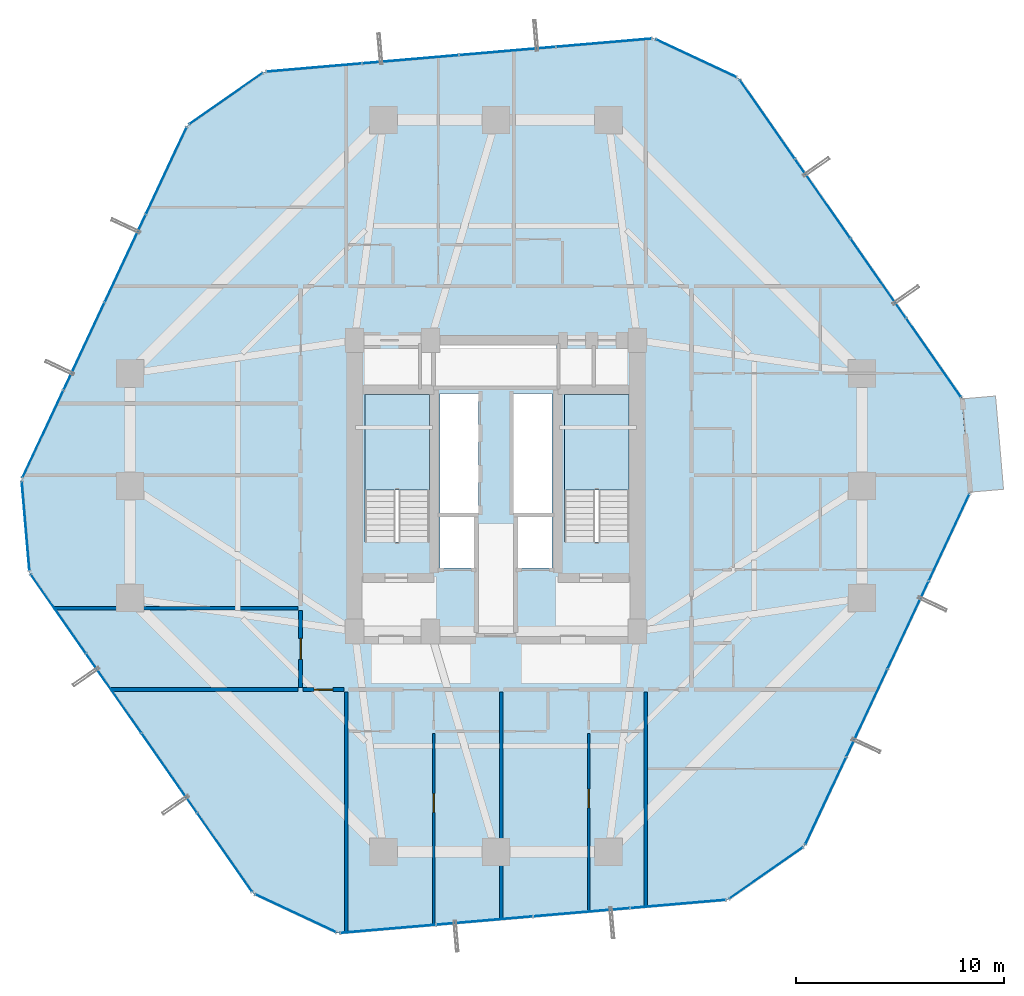
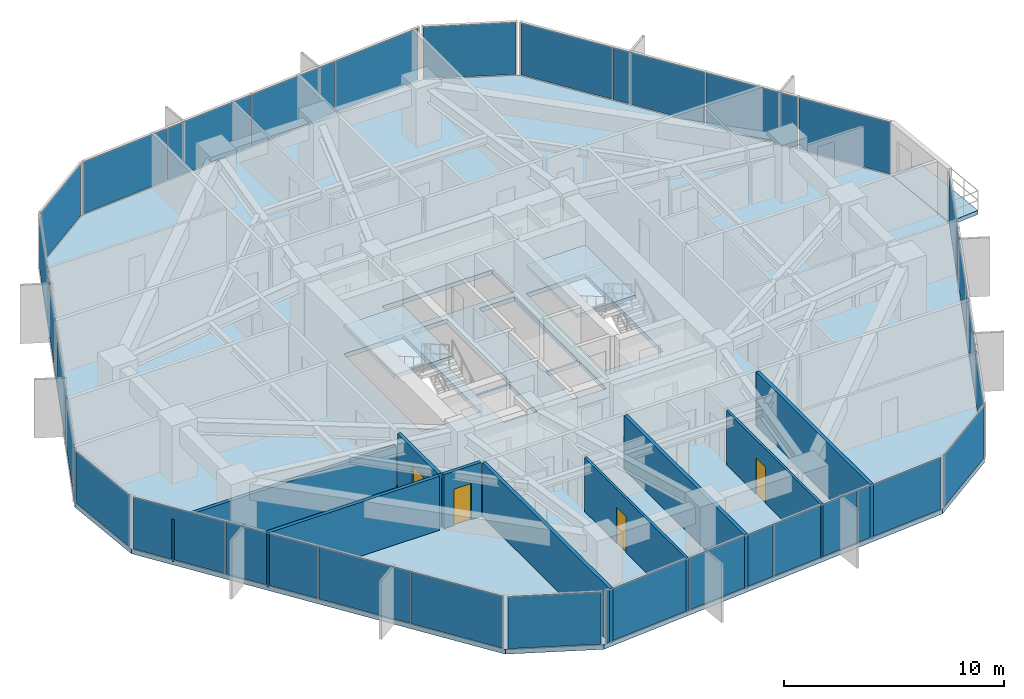
# One storey, part 32 of 37: 29 plates, 9 walls, 4 doors, 4 slabs, 4 openings, 13 elements without a shape of their own.
"""IFC4 building model written with IfcOpenShell, lengths in metres."""

from ifc_helpers import new_model, si_unit, direction, frame, frame_2d, origin, origin_2d, place, context, subcontext, project, spatial, polyline, rectangle, outline, extrude, source, transform, mapped, material, layer, layer_set, type_object, element, fill, aggregate, save


model = new_model("IFC4")

# Units and contexts
model_context = context("Model", 3, precision=1e-05, world=origin(), true_north=direction((0.0, 1.0)))
body_context = subcontext(model_context, "Body", "Model", "MODEL_VIEW")
ifc_project = project(units=[si_unit("LENGTHUNIT", "METRE"), si_unit("AREAUNIT", "SQUARE_METRE"), si_unit("VOLUMEUNIT", "CUBIC_METRE"), si_unit("PLANEANGLEUNIT", "RADIAN"), si_unit("MASSUNIT", "GRAM", prefix="KILO")], contexts=[model_context])

# Site, building, storey
site_placement = place(None, origin())
site = spatial("IfcSite", under=ifc_project, at=site_placement, CompositionType="ELEMENT")
building_placement = place(site_placement, origin())
building = spatial("IfcBuilding", under=site, at=building_placement, Name="Veraguas Prism Commons", CompositionType="ELEMENT")
storey_placement = place(building_placement, frame((0.0, 0.0, 40.300048828125)))
storey = spatial("IfcBuildingStorey", under=building, at=storey_placement, Name="L10", CompositionType="ELEMENT", Elevation=40.300048828125)

# Stair, slab
ifc_material_1 = material(Name="Precast concrete C45/55", Category="concrete")
stair_type = type_object("IfcStairType", Name="Dogleg Core Stair 1480W 20R 05", PredefinedType="HALF_TURN_STAIR", material=ifc_material_1)
stair_1_placement = place(storey_placement, origin())
stair_1 = element("IfcStair", 1, at=stair_1_placement, inside=storey, type_object=stair_type, Name="Protected Exit Stair ST-01 L10", PredefinedType="HALF_TURN_STAIR")
ifc_layer_1 = layer(ifc_material_1, 0.199951171875, Name="Precast Stair and Ramp Landing Slab 200", Category="concrete")
ifc_layer_set_1 = layer_set([ifc_layer_1], Name="Precast concrete C45/55")
slab_type_1 = type_object("IfcSlabType", Name="Precast Stair and Ramp Landing Slab 200", PredefinedType="LANDING", material=ifc_layer_set_1)
slab_1_placement = place(storey_placement, frame((0.0, 0.0, 1.425048828125)))
slab_1 = element("IfcSlab", 2, at=slab_1_placement, type_object=slab_type_1, Name="ST-05 Landing 1", PredefinedType="LANDING", context=body_context, shape_type="SweptSolid", body=[
    extrude(outline(polyline([(20.800048828125, 23.800048828125), (20.800048828125, 28.39990234375), (17.68994140625, 28.39990234375), (17.68994140625, 23.800048828125), (20.800048828125, 23.800048828125)])), origin(), (0.0, 0.0, 1.0), 0.199951171875),
])
aggregate(stair_1, [slab_1])

stair_2_placement = place(storey_placement, origin())
stair_2 = element("IfcStair", 3, at=stair_2_placement, inside=storey, type_object=stair_type, Name="Protected Exit Stair ST-02 L10", PredefinedType="HALF_TURN_STAIR")
slab_2_placement = place(storey_placement, frame((0.0, 0.0, 1.425048828125)))
slab_2 = element("IfcSlab", 4, at=slab_2_placement, type_object=slab_type_1, Name="ST-05 Landing 1", PredefinedType="LANDING", context=body_context, shape_type="SweptSolid", body=[
    extrude(outline(polyline([(30.39990234375, 23.800048828125), (30.39990234375, 28.39990234375), (27.2900390625, 28.39990234375), (27.2900390625, 23.800048828125), (30.39990234375, 23.800048828125)])), origin(), (0.0, 0.0, 1.0), 0.199951171875),
])
aggregate(stair_2, [slab_2])

# Slabs
ifc_material_2 = material(Name="Concrete C45/55", Category="concrete")
ifc_layer_2 = layer(ifc_material_2, 0.219970703125, Name="Recessed Loggia and Terrace Slab RC 220", Category="concrete")
ifc_layer_set_2 = layer_set([ifc_layer_2], Name="Concrete C45/55")
slab_type_2 = type_object("IfcSlabType", Name="Recessed Loggia and Terrace Slab RC 220", PredefinedType="FLOOR", material=ifc_layer_set_2)
slab_3_placement = place(storey_placement, frame((0.0, 0.0, -0.219970703125)))
element("IfcSlab", 5, at=slab_3_placement, inside=storey, type_object=slab_type_2, Name="Recessed Corner Loggia L10-C1", PredefinedType="FLOOR", context=body_context, shape_type="SweptSolid", body=[
    extrude(outline(polyline([(46.790283203125, 23.695556640625), (48.404296875, 23.833984375), (48.02001953125, 28.3173828125), (46.406005859375, 28.17919921875), (46.790283203125, 23.695556640625)])), origin(), (0.0, 0.0, 1.0), 0.219970703125),
])
ifc_layer_3 = layer(ifc_material_2, 0.25, Name="Tower Lower Residential Floor Slab RC 250", Category="concrete")
ifc_layer_set_3 = layer_set([ifc_layer_3], Name="Concrete C45/55")
slab_type_3 = type_object("IfcSlabType", Name="Tower Lower Residential Floor Slab RC 250", PredefinedType="FLOOR", material=ifc_layer_set_3)
slab_4_placement = place(storey_placement, frame((0.0, 0.0, -0.25)))
element("IfcSlab", 6, at=slab_4_placement, inside=storey, type_object=slab_type_3, Name="Tower Floor Slab L10", PredefinedType="FLOOR", context=body_context, shape_type="SweptSolid", body=[
    extrude(outline(polyline([(46.810302734375, 23.697265625), (46.42578125, 28.180908203125), (35.667236328125, 43.602783203125), (31.59228515625, 45.51171875), (12.857177734375, 43.905517578125), (9.16650390625, 41.330810546875), (1.189697265625, 24.302734375), (1.57421875, 19.819091796875), (12.332763671875, 4.397216796875), (16.40771484375, 2.48828125), (35.142822265625, 4.094482421875), (38.83349609375, 6.669189453125), (46.810302734375, 23.697265625)]), holes=[polyline([(20.800048828125, 21.31005859375), (20.800048828125, 28.39990234375), (17.68994140625, 28.39990234375), (17.68994140625, 21.31005859375), (20.800048828125, 21.31005859375)]), polyline([(30.39990234375, 21.31005859375), (30.39990234375, 28.39990234375), (27.2900390625, 28.39990234375), (27.2900390625, 21.31005859375), (30.39990234375, 21.31005859375)]), polyline([(21.300048828125, 22.64990234375), (23.14990234375, 22.64990234375), (23.14990234375, 28.449951171875), (21.300048828125, 28.449951171875), (21.300048828125, 22.64990234375)]), polyline([(24.85009765625, 22.64990234375), (26.699951171875, 22.64990234375), (26.699951171875, 28.449951171875), (24.85009765625, 28.449951171875), (24.85009765625, 22.64990234375)]), polyline([(21.10009765625, 28.800048828125), (26.89990234375, 28.800048828125), (26.89990234375, 30.800048828125), (21.10009765625, 30.800048828125), (21.10009765625, 28.800048828125)]), polyline([(21.300048828125, 20.050048828125), (23.050048828125, 20.050048828125), (23.050048828125, 22.550048828125), (21.300048828125, 22.550048828125), (21.300048828125, 20.050048828125)]), polyline([(24.949951171875, 20.050048828125), (26.699951171875, 20.050048828125), (26.699951171875, 22.550048828125), (24.949951171875, 22.550048828125), (24.949951171875, 20.050048828125)])]), origin(), (0.0, 0.0, 1.0), 0.25),
])

# Curtain wall, plates
ifc_material_3 = material(Name="Anodised aluminium EN AW-6063 T6", Category="aluminium")
ifc_layer_4 = layer(ifc_material_3, 0.169921875, Name="Unitised Flush Curtain Wall Zone 1", Category="aluminium")
ifc_layer_set_4 = layer_set([ifc_layer_4], Name="Anodised aluminium EN AW-6063 T6")
curtain_wall_type = type_object("IfcCurtainWallType", Name="Unitised Flush Curtain Wall Zone 1", PredefinedType="NOTDEFINED", material=ifc_layer_set_4)
curtain_wall_1_placement = place(storey_placement, origin())
curtain_wall_1 = element("IfcCurtainWall", 7, at=curtain_wall_1_placement, inside=storey, type_object=curtain_wall_type, Name="Tower Facade Curtain Wall L10-F1", PredefinedType="NOTDEFINED")
ifc_material_4 = material(Name="Laminated low-e glass", Category="glass")
ifc_layer_5 = layer(ifc_material_4, 0.028076171875, Name="Unitised Double Low-E Glazed Panel 28", Category="glass")
ifc_layer_set_5 = layer_set([ifc_layer_5], Name="Laminated low-e glass")
plate_type = type_object("IfcPlateType", Name="Unitised Double Low-E Glazed Panel 28", PredefinedType="CURTAIN_PANEL", material=ifc_layer_set_5)
shared_shape_1 = source(origin(), body_context, "Body", "SweptSolid", [
    extrude(rectangle(XDim=4.5810546875, YDim=0.028076171875, at=origin_2d()), origin(), (0.0, 0.0, 1.0), 2.889892578125),
])
plate_1_placement = place(storey_placement, frame((45.046630859375, 30.15771484375, 0.05517578125), z_axis=(0.0, 0.0, 1.0), x_axis=(-0.572145873446, 0.820151875874, 0.0)))
plate_1 = element("IfcPlate", 8, at=plate_1_placement, type_object=plate_type, Name="CW-Z1 Panel 1.1", PredefinedType="CURTAIN_PANEL", context=body_context, shape_type="MappedRepresentation", body=[
    mapped(shared_shape_1, transform((0.0, 0.0, 0.0), scale=1.0)),
])
plate_2_placement = place(storey_placement, frame((37.04638671875, 41.625732421875, 0.05517578125), z_axis=(0.0, 0.0, 1.0), x_axis=(-0.572145873446, 0.820151875874, 0.0)))
plate_2 = element("IfcPlate", 9, at=plate_2_placement, type_object=plate_type, Name="CW-Z1 Panel 4.1", PredefinedType="CURTAIN_PANEL", context=body_context, shape_type="MappedRepresentation", body=[
    mapped(shared_shape_1, transform((0.0, 0.0, 0.0), scale=1.0)),
])

curtain_wall_2_placement = place(storey_placement, origin())
curtain_wall_2 = element("IfcCurtainWall", 10, at=curtain_wall_2_placement, inside=storey, type_object=curtain_wall_type, Name="Tower Facade Curtain Wall L10-F2", PredefinedType="NOTDEFINED")
plate_3_placement = place(storey_placement, frame((29.1904296875, 45.305908203125, 0.05517578125), z_axis=(0.0, 0.0, 1.0), x_axis=(-0.996345296191, -0.085416923137, 0.0)))
plate_3 = element("IfcPlate", 11, at=plate_3_placement, type_object=plate_type, Name="CW-Z1 Panel 1.1", PredefinedType="CURTAIN_PANEL", context=body_context, shape_type="MappedRepresentation", body=[
    mapped(shared_shape_1, transform((0.0, 0.0, 0.0), scale=1.0)),
])
plate_4_placement = place(storey_placement, frame((15.2587890625, 44.111572265625, 0.05517578125), z_axis=(0.0, 0.0, 1.0), x_axis=(-0.996345296191, -0.085416923137, 0.0)))
plate_4 = element("IfcPlate", 12, at=plate_4_placement, type_object=plate_type, Name="CW-Z1 Panel 4.1", PredefinedType="CURTAIN_PANEL", context=body_context, shape_type="MappedRepresentation", body=[
    mapped(shared_shape_1, transform((0.0, 0.0, 0.0), scale=1.0)),
])

curtain_wall_3_placement = place(storey_placement, origin())
curtain_wall_3 = element("IfcCurtainWall", 13, at=curtain_wall_3_placement, inside=storey, type_object=curtain_wall_type, Name="Tower Facade Curtain Wall L10-F3", PredefinedType="NOTDEFINED")
plate_5_placement = place(storey_placement, frame((8.143798828125, 39.14794921875, 0.05517578125), z_axis=(0.0, 0.0, 1.0), x_axis=(-0.424194681192, -0.905571020102, 0.0)))
plate_5 = element("IfcPlate", 14, at=plate_5_placement, type_object=plate_type, Name="CW-Z1 Panel 1.1", PredefinedType="CURTAIN_PANEL", context=body_context, shape_type="MappedRepresentation", body=[
    mapped(shared_shape_1, transform((0.0, 0.0, 0.0), scale=1.0)),
])
plate_6_placement = place(storey_placement, frame((2.21240234375, 26.485595703125, 0.05517578125), z_axis=(0.0, 0.0, 1.0), x_axis=(-0.424194681192, -0.905571020102, 0.0)))
plate_6 = element("IfcPlate", 15, at=plate_6_placement, type_object=plate_type, Name="CW-Z1 Panel 4.1", PredefinedType="CURTAIN_PANEL", context=body_context, shape_type="MappedRepresentation", body=[
    mapped(shared_shape_1, transform((0.0, 0.0, 0.0), scale=1.0)),
])

curtain_wall_4_placement = place(storey_placement, origin())
curtain_wall_4 = element("IfcCurtainWall", 16, at=curtain_wall_4_placement, inside=storey, type_object=curtain_wall_type, Name="Tower Facade Curtain Wall L10-F4", PredefinedType="NOTDEFINED")
plate_7_placement = place(storey_placement, frame((2.953369140625, 17.84228515625, 0.05517578125), z_axis=(0.0, 0.0, 1.0), x_axis=(0.572145873446, -0.820151875874, 0.0)))
plate_7 = element("IfcPlate", 17, at=plate_7_placement, type_object=plate_type, Name="CW-Z1 Panel 1.1", PredefinedType="CURTAIN_PANEL", context=body_context, shape_type="MappedRepresentation", body=[
    mapped(shared_shape_1, transform((0.0, 0.0, 0.0), scale=1.0)),
])
plate_8_placement = place(storey_placement, frame((10.95361328125, 6.374267578125, 0.05517578125), z_axis=(0.0, 0.0, 1.0), x_axis=(0.572145873446, -0.820151875874, 0.0)))
plate_8 = element("IfcPlate", 18, at=plate_8_placement, type_object=plate_type, Name="CW-Z1 Panel 4.1", PredefinedType="CURTAIN_PANEL", context=body_context, shape_type="MappedRepresentation", body=[
    mapped(shared_shape_1, transform((0.0, 0.0, 0.0), scale=1.0)),
])

curtain_wall_5_placement = place(storey_placement, origin())
curtain_wall_5 = element("IfcCurtainWall", 19, at=curtain_wall_5_placement, inside=storey, type_object=curtain_wall_type, Name="Tower Facade Curtain Wall L10-F5", PredefinedType="NOTDEFINED")
plate_9_placement = place(storey_placement, frame((18.8095703125, 2.694091796875, 0.05517578125), z_axis=(0.0, 0.0, 1.0), x_axis=(0.996345296191, 0.085416923137, 0.0)))
plate_9 = element("IfcPlate", 20, at=plate_9_placement, type_object=plate_type, Name="CW-Z1 Panel 1.1", PredefinedType="CURTAIN_PANEL", context=body_context, shape_type="MappedRepresentation", body=[
    mapped(shared_shape_1, transform((0.0, 0.0, 0.0), scale=1.0)),
])
plate_10_placement = place(storey_placement, frame((32.7412109375, 3.888427734375, 0.05517578125), z_axis=(0.0, 0.0, 1.0), x_axis=(0.996345296191, 0.085416923137, 0.0)))
plate_10 = element("IfcPlate", 21, at=plate_10_placement, type_object=plate_type, Name="CW-Z1 Panel 4.1", PredefinedType="CURTAIN_PANEL", context=body_context, shape_type="MappedRepresentation", body=[
    mapped(shared_shape_1, transform((0.0, 0.0, 0.0), scale=1.0)),
])

curtain_wall_6_placement = place(storey_placement, origin())
curtain_wall_6 = element("IfcCurtainWall", 22, at=curtain_wall_6_placement, inside=storey, type_object=curtain_wall_type, Name="Tower Facade Curtain Wall L10-F6", PredefinedType="NOTDEFINED")
plate_11_placement = place(storey_placement, frame((39.856201171875, 8.85205078125, 0.05517578125), z_axis=(0.0, 0.0, 1.0), x_axis=(0.424194681192, 0.905571020102, 0.0)))
plate_11 = element("IfcPlate", 23, at=plate_11_placement, type_object=plate_type, Name="CW-Z1 Panel 1.1", PredefinedType="CURTAIN_PANEL", context=body_context, shape_type="MappedRepresentation", body=[
    mapped(shared_shape_1, transform((0.0, 0.0, 0.0), scale=1.0)),
])
plate_12_placement = place(storey_placement, frame((45.78759765625, 21.514404296875, 0.05517578125), z_axis=(0.0, 0.0, 1.0), x_axis=(0.424194681192, 0.905571020102, 0.0)))
plate_12 = element("IfcPlate", 24, at=plate_12_placement, type_object=plate_type, Name="CW-Z1 Panel 4.1", PredefinedType="CURTAIN_PANEL", context=body_context, shape_type="MappedRepresentation", body=[
    mapped(shared_shape_1, transform((0.0, 0.0, 0.0), scale=1.0)),
])

# Plate
shared_shape_2 = source(origin(), body_context, "Body", "SweptSolid", [
    extrude(rectangle(XDim=4.611083984375, YDim=0.028076171875, at=origin_2d()), origin(), (0.0, 0.0, 1.0), 2.889892578125),
])
plate_13_placement = place(storey_placement, frame((42.3828125, 33.976318359375, 0.05517578125), z_axis=(0.0, 0.0, 1.0), x_axis=(-0.572145873446, 0.820151875874, 0.0)))
plate_13 = element("IfcPlate", 25, at=plate_13_placement, type_object=plate_type, Name="CW-Z1 Panel 2.1", PredefinedType="CURTAIN_PANEL", context=body_context, shape_type="MappedRepresentation", body=[
    mapped(shared_shape_2, transform((0.0, 0.0, 0.0), scale=1.0)),
])

plate_14_placement = place(storey_placement, frame((39.710205078125, 37.80712890625, 0.05517578125), z_axis=(0.0, 0.0, 1.0), x_axis=(-0.572145873446, 0.820151875874, 0.0)))
plate_14 = element("IfcPlate", 26, at=plate_14_placement, type_object=plate_type, Name="CW-Z1 Panel 3.1", PredefinedType="CURTAIN_PANEL", context=body_context, shape_type="MappedRepresentation", body=[
    mapped(shared_shape_2, transform((0.0, 0.0, 0.0), scale=1.0)),
])

aggregate(curtain_wall_1, [plate_1, plate_13, plate_14, plate_2])

plate_15_placement = place(storey_placement, frame((6.168701171875, 34.931640625, 0.05517578125), z_axis=(0.0, 0.0, 1.0), x_axis=(-0.424194681192, -0.905571020102, 0.0)))
plate_15 = element("IfcPlate", 27, at=plate_15_placement, type_object=plate_type, Name="CW-Z1 Panel 2.1", PredefinedType="CURTAIN_PANEL", context=body_context, shape_type="MappedRepresentation", body=[
    mapped(shared_shape_2, transform((0.0, 0.0, 0.0), scale=1.0)),
])

plate_16_placement = place(storey_placement, frame((4.1875, 30.701904296875, 0.05517578125), z_axis=(0.0, 0.0, 1.0), x_axis=(-0.424194681192, -0.905571020102, 0.0)))
plate_16 = element("IfcPlate", 28, at=plate_16_placement, type_object=plate_type, Name="CW-Z1 Panel 3.1", PredefinedType="CURTAIN_PANEL", context=body_context, shape_type="MappedRepresentation", body=[
    mapped(shared_shape_2, transform((0.0, 0.0, 0.0), scale=1.0)),
])

aggregate(curtain_wall_3, [plate_5, plate_15, plate_16, plate_6])

plate_17_placement = place(storey_placement, frame((5.6171875, 14.023681640625, 0.05517578125), z_axis=(0.0, 0.0, 1.0), x_axis=(0.572145873446, -0.820151875874, 0.0)))
plate_17 = element("IfcPlate", 29, at=plate_17_placement, type_object=plate_type, Name="CW-Z1 Panel 2.1", PredefinedType="CURTAIN_PANEL", context=body_context, shape_type="MappedRepresentation", body=[
    mapped(shared_shape_2, transform((0.0, 0.0, 0.0), scale=1.0)),
])

plate_18_placement = place(storey_placement, frame((8.289794921875, 10.19287109375, 0.05517578125), z_axis=(0.0, 0.0, 1.0), x_axis=(0.572145873446, -0.820151875874, 0.0)))
plate_18 = element("IfcPlate", 30, at=plate_18_placement, type_object=plate_type, Name="CW-Z1 Panel 3.1", PredefinedType="CURTAIN_PANEL", context=body_context, shape_type="MappedRepresentation", body=[
    mapped(shared_shape_2, transform((0.0, 0.0, 0.0), scale=1.0)),
])

aggregate(curtain_wall_4, [plate_7, plate_17, plate_18, plate_8])

plate_19_placement = place(storey_placement, frame((41.831298828125, 13.068359375, 0.05517578125), z_axis=(0.0, 0.0, 1.0), x_axis=(0.424194681192, 0.905571020102, 0.0)))
plate_19 = element("IfcPlate", 31, at=plate_19_placement, type_object=plate_type, Name="CW-Z1 Panel 2.1", PredefinedType="CURTAIN_PANEL", context=body_context, shape_type="MappedRepresentation", body=[
    mapped(shared_shape_2, transform((0.0, 0.0, 0.0), scale=1.0)),
])

plate_20_placement = place(storey_placement, frame((43.8125, 17.298095703125, 0.05517578125), z_axis=(0.0, 0.0, 1.0), x_axis=(0.424194681192, 0.905571020102, 0.0)))
plate_20 = element("IfcPlate", 32, at=plate_20_placement, type_object=plate_type, Name="CW-Z1 Panel 3.1", PredefinedType="CURTAIN_PANEL", context=body_context, shape_type="MappedRepresentation", body=[
    mapped(shared_shape_2, transform((0.0, 0.0, 0.0), scale=1.0)),
])

aggregate(curtain_wall_6, [plate_11, plate_19, plate_20, plate_12])

shared_shape_3 = source(origin(), body_context, "Body", "SweptSolid", [
    extrude(rectangle(XDim=4.61083984375, YDim=0.028076171875, at=origin_2d()), origin(), (0.0, 0.0, 1.0), 2.889892578125),
])
plate_21_placement = place(storey_placement, frame((24.551513671875, 44.908203125, 0.05517578125), z_axis=(0.0, 0.0, 1.0), x_axis=(-0.996345296191, -0.085416923137, 0.0)))
plate_21 = element("IfcPlate", 33, at=plate_21_placement, type_object=plate_type, Name="CW-Z1 Panel 2.1", PredefinedType="CURTAIN_PANEL", context=body_context, shape_type="MappedRepresentation", body=[
    mapped(shared_shape_3, transform((0.0, 0.0, 0.0), scale=1.0)),
])

plate_22_placement = place(storey_placement, frame((19.897705078125, 44.50927734375, 0.05517578125), z_axis=(0.0, 0.0, 1.0), x_axis=(-0.996345296191, -0.085416923137, 0.0)))
plate_22 = element("IfcPlate", 34, at=plate_22_placement, type_object=plate_type, Name="CW-Z1 Panel 3.1", PredefinedType="CURTAIN_PANEL", context=body_context, shape_type="MappedRepresentation", body=[
    mapped(shared_shape_3, transform((0.0, 0.0, 0.0), scale=1.0)),
])

aggregate(curtain_wall_2, [plate_3, plate_21, plate_22, plate_4])

plate_23_placement = place(storey_placement, frame((23.448486328125, 3.091796875, 0.05517578125), z_axis=(0.0, 0.0, 1.0), x_axis=(0.996345296191, 0.085416923137, 0.0)))
plate_23 = element("IfcPlate", 35, at=plate_23_placement, type_object=plate_type, Name="CW-Z1 Panel 2.1", PredefinedType="CURTAIN_PANEL", context=body_context, shape_type="MappedRepresentation", body=[
    mapped(shared_shape_3, transform((0.0, 0.0, 0.0), scale=1.0)),
])

plate_24_placement = place(storey_placement, frame((28.102294921875, 3.49072265625, 0.05517578125), z_axis=(0.0, 0.0, 1.0), x_axis=(0.996345296191, 0.085416923137, 0.0)))
plate_24 = element("IfcPlate", 36, at=plate_24_placement, type_object=plate_type, Name="CW-Z1 Panel 3.1", PredefinedType="CURTAIN_PANEL", context=body_context, shape_type="MappedRepresentation", body=[
    mapped(shared_shape_3, transform((0.0, 0.0, 0.0), scale=1.0)),
])

aggregate(curtain_wall_5, [plate_9, plate_23, plate_24, plate_10])

# Curtain wall, plate
curtain_wall_7_placement = place(storey_placement, origin())
curtain_wall_7 = element("IfcCurtainWall", 37, at=curtain_wall_7_placement, inside=storey, type_object=curtain_wall_type, Name="Chamfer Curtain Wall L10-C2", PredefinedType="NOTDEFINED")
shared_shape_4 = source(origin(), body_context, "Body", "SweptSolid", [
    extrude(rectangle(XDim=4.260009765625, YDim=0.028076171875, at=origin_2d()), origin(), (0.0, 0.0, 1.0), 2.889892578125),
])
plate_25_placement = place(storey_placement, frame((33.629638671875, 44.55712890625, 0.05517578125), z_axis=(0.0, 0.0, 1.0), x_axis=(-0.905581384863, 0.424172553792, 0.0)))
plate_25 = element("IfcPlate", 38, at=plate_25_placement, type_object=plate_type, Name="CW-Z1 Panel 1.1", PredefinedType="CURTAIN_PANEL", context=body_context, shape_type="MappedRepresentation", body=[
    mapped(shared_shape_4, transform((0.0, 0.0, 0.0), scale=1.0)),
])
aggregate(curtain_wall_7, [plate_25])

curtain_wall_8_placement = place(storey_placement, origin())
curtain_wall_8 = element("IfcCurtainWall", 39, at=curtain_wall_8_placement, inside=storey, type_object=curtain_wall_type, Name="Chamfer Curtain Wall L10-C3", PredefinedType="NOTDEFINED")
plate_26_placement = place(storey_placement, frame((11.01171875, 42.6181640625, 0.05517578125), z_axis=(0.0, 0.0, 1.0), x_axis=(-0.82014388713, -0.57215732487, 0.0)))
plate_26 = element("IfcPlate", 40, at=plate_26_placement, type_object=plate_type, Name="CW-Z1 Panel 1.1", PredefinedType="CURTAIN_PANEL", context=body_context, shape_type="MappedRepresentation", body=[
    mapped(shared_shape_4, transform((0.0, 0.0, 0.0), scale=1.0)),
])
aggregate(curtain_wall_8, [plate_26])

curtain_wall_9_placement = place(storey_placement, origin())
curtain_wall_9 = element("IfcCurtainWall", 41, at=curtain_wall_9_placement, inside=storey, type_object=curtain_wall_type, Name="Chamfer Curtain Wall L10-C4", PredefinedType="NOTDEFINED")
plate_27_placement = place(storey_placement, frame((1.382080078125, 22.06103515625, 0.05517578125), z_axis=(0.0, 0.0, 1.0), x_axis=(0.085436051578, -0.99634365612, 0.0)))
plate_27 = element("IfcPlate", 42, at=plate_27_placement, type_object=plate_type, Name="CW-Z1 Panel 1.1", PredefinedType="CURTAIN_PANEL", context=body_context, shape_type="MappedRepresentation", body=[
    mapped(shared_shape_4, transform((0.0, 0.0, 0.0), scale=1.0)),
])
aggregate(curtain_wall_9, [plate_27])

curtain_wall_10_placement = place(storey_placement, origin())
curtain_wall_10 = element("IfcCurtainWall", 43, at=curtain_wall_10_placement, inside=storey, type_object=curtain_wall_type, Name="Chamfer Curtain Wall L10-C5", PredefinedType="NOTDEFINED")
plate_28_placement = place(storey_placement, frame((14.370361328125, 3.44287109375, 0.05517578125), z_axis=(0.0, 0.0, 1.0), x_axis=(0.905581384863, -0.424172553792, 0.0)))
plate_28 = element("IfcPlate", 44, at=plate_28_placement, type_object=plate_type, Name="CW-Z1 Panel 1.1", PredefinedType="CURTAIN_PANEL", context=body_context, shape_type="MappedRepresentation", body=[
    mapped(shared_shape_4, transform((0.0, 0.0, 0.0), scale=1.0)),
])
aggregate(curtain_wall_10, [plate_28])

curtain_wall_11_placement = place(storey_placement, origin())
curtain_wall_11 = element("IfcCurtainWall", 45, at=curtain_wall_11_placement, inside=storey, type_object=curtain_wall_type, Name="Chamfer Curtain Wall L10-C6", PredefinedType="NOTDEFINED")
plate_29_placement = place(storey_placement, frame((36.98828125, 5.3818359375, 0.05517578125), z_axis=(0.0, 0.0, 1.0), x_axis=(0.82014388713, 0.57215732487, 0.0)))
plate_29 = element("IfcPlate", 46, at=plate_29_placement, type_object=plate_type, Name="CW-Z1 Panel 1.1", PredefinedType="CURTAIN_PANEL", context=body_context, shape_type="MappedRepresentation", body=[
    mapped(shared_shape_4, transform((0.0, 0.0, 0.0), scale=1.0)),
])
aggregate(curtain_wall_11, [plate_29])

# Walls
ifc_material_5 = material(Name="Autoclaved aerated masonry block 10 MPa", Category="masonry")
ifc_layer_6 = layer(ifc_material_5, 0.179931640625, Name="Corridor and Inter-Tenancy Partition 180", Category="masonry")
ifc_layer_set_6 = layer_set([ifc_layer_6], Name="Autoclaved aerated masonry block 10 MPa")
wall_type_1 = type_object("IfcWallType", Name="Corridor and Inter-Tenancy Partition 180", PredefinedType="PARTITIONING", material=ifc_layer_set_6)
wall_1_placement = place(storey_placement, frame((16.800048828125, 14.080078125, 0.0), z_axis=(0.0, 0.0, 1.0), x_axis=(0.0, -1.0, 0.0)))
element("IfcWall", 47, at=wall_1_placement, inside=storey, type_object=wall_type_1, Name="WL-L10-PT001", PredefinedType="PARTITIONING", context=body_context, shape_type="SweptSolid", body=[
    extrude(rectangle(XDim=11.58837890625, YDim=0.179931640625, at=frame_2d((5.794189453125, 0.0))), origin(), (0.0, 0.0, 1.0), 3.0),
])
wall_2_placement = place(storey_placement, frame((31.199951171875, 14.080078125, 0.0), z_axis=(0.0, 0.0, 1.0), x_axis=(0.0, -1.0, 0.0)))
element("IfcWall", 48, at=wall_2_placement, inside=storey, type_object=wall_type_1, Name="WL-L10-PT002", PredefinedType="PARTITIONING", context=body_context, shape_type="SweptSolid", body=[
    extrude(rectangle(XDim=10.353759765625, YDim=0.179931640625, at=frame_2d((5.1767578125, 0.0))), origin(), (0.0, 0.0, 1.0), 3.0),
])
wall_3_placement = place(storey_placement, frame((24.258056640625, 14.080078125, 0.0), z_axis=(0.0, 0.0, 1.0), x_axis=(0.0, -1.0, 0.0)))
element("IfcWall", 49, at=wall_3_placement, inside=storey, type_object=wall_type_1, Name="WL-L10-PT009", PredefinedType="PARTITIONING", context=body_context, shape_type="SweptSolid", body=[
    extrude(rectangle(XDim=10.948974609375, YDim=0.179931640625, at=frame_2d((5.474609375, 0.0))), origin(), (0.0, 0.0, 1.0), 3.0),
])
wall_4_placement = place(storey_placement, frame((14.47998046875, 14.199951171875, 0.0), z_axis=(0.0, 0.0, 1.0), x_axis=(-1.0, 0.0, 0.0)))
element("IfcWall", 50, at=wall_4_placement, inside=storey, type_object=wall_type_1, Name="WL-L10-PT028", PredefinedType="PARTITIONING", context=body_context, shape_type="SweptSolid", body=[
    extrude(rectangle(XDim=9.0224609375, YDim=0.179931640625, at=frame_2d((4.51123046875, 0.0))), origin(), (0.0, 0.0, 1.0), 3.0),
])

# Wall, opening, door
wall_5_placement = place(storey_placement, frame((14.60009765625, 14.31005859375, 0.0), z_axis=(0.0, 0.0, 1.0), x_axis=(0.0, 1.0, 0.0)))
wall_5 = element("IfcWall", 51, at=wall_5_placement, inside=storey, type_object=wall_type_1, Name="WL-L10-PT030", PredefinedType="PARTITIONING", context=body_context, shape_type="SweptSolid", body=[
    extrude(rectangle(XDim=3.697021484375, YDim=0.179931640625, at=frame_2d((1.8486328125, 0.0))), origin(), (0.0, 0.0, 1.0), 3.0),
])
opening_1_placement = place(wall_5_placement, frame((1.348388671875, 0.0, 0.0)))
opening_1 = element("IfcOpeningElement", 52, at=opening_1_placement, cuts=wall_5, Name="Opening DR-13", PredefinedType="OPENING", context=body_context, shape_type="SweptSolid", body=[
    extrude(rectangle(XDim=1.0, YDim=2.010009765625, at=frame_2d((0.5, 1.0048828125))), frame((0.0, 0.099853515625, 0.0), z_axis=(0.0, -1.0, 0.0), x_axis=(1.0, 0.0, 0.0)), (0.0, 0.0, 1.0), 0.199951171875),
])
ifc_material_6 = material(Name="Steel fire-rated door assembly", Category="steel")
door_type_1 = type_object("IfcDoorType", Name="Core Accessible WC and Clinic Fire Door 1000x2010", OperationType="NOTDEFINED", PredefinedType="DOOR", material=ifc_material_6)
shared_shape_5 = source(origin(), body_context, "Body", "SweptSolid", [
    extrude(rectangle(XDim=1.0, YDim=2.010009765625, at=frame_2d((0.5, 1.0048828125))), frame((0.0, 0.02490234375, 0.0), z_axis=(0.0, -1.0, 0.0), x_axis=(1.0, 0.0, 0.0)), (0.0, 0.0, 1.0), 0.050048828125),
])
door_1_placement = place(opening_1_placement, origin())
door_1 = element("IfcDoor", 53, at=door_1_placement, inside=storey, type_object=door_type_1, Name="Community Co-op Kitchen Door", OperationType="SINGLE_SWING_LEFT", OverallHeight=2.010009765625, OverallWidth=1.0, PredefinedType="DOOR", context=body_context, shape_type="MappedRepresentation", body=[
    mapped(shared_shape_5, transform((0.0, 0.0, 0.0), scale=1.0)),
])
fill(opening_1, door_1)

# Wall
wall_6_placement = place(storey_placement, frame((14.47998046875, 18.116943359375, 0.0), z_axis=(0.0, 0.0, 1.0), x_axis=(-1.0, 0.0, 0.0)))
element("IfcWall", 54, at=wall_6_placement, inside=storey, type_object=wall_type_1, Name="WL-L10-PT032", PredefinedType="PARTITIONING", context=body_context, shape_type="SweptSolid", body=[
    extrude(rectangle(XDim=11.7548828125, YDim=0.179931640625, at=frame_2d((5.87744140625, 0.0))), origin(), (0.0, 0.0, 1.0), 2.299072265625),
])

# Wall, opening, door
wall_7_placement = place(storey_placement, frame((14.719970703125, 14.199951171875, 0.0), z_axis=(0.0, 0.0, 1.0), x_axis=(1.0, 0.0, 0.0)))
wall_7 = element("IfcWall", 55, at=wall_7_placement, inside=storey, type_object=wall_type_1, Name="WL-L10-PT056", PredefinedType="PARTITIONING", context=body_context, shape_type="SweptSolid", body=[
    extrude(rectangle(XDim=1.9599609375, YDim=0.179931640625, at=frame_2d((0.97998046875, 0.0))), origin(), (0.0, 0.0, 1.0), 3.0),
])
opening_2_placement = place(wall_7_placement, frame((0.530029296875, 0.0, 0.0)))
opening_2 = element("IfcOpeningElement", 56, at=opening_2_placement, cuts=wall_7, Name="Opening DR-14", PredefinedType="OPENING", context=body_context, shape_type="SweptSolid", body=[
    extrude(rectangle(XDim=0.89990234375, YDim=2.010009765625, at=frame_2d((0.449951171875, 1.0048828125))), frame((0.0, 0.099853515625, 0.0), z_axis=(0.0, -1.0, 0.0), x_axis=(1.0, 0.0, 0.0)), (0.0, 0.0, 1.0), 0.199951171875),
])
door_type_2 = type_object("IfcDoorType", Name="Core Service Room Fire Door 900x2010", OperationType="NOTDEFINED", PredefinedType="DOOR", material=ifc_material_6)
shared_shape_6 = source(origin(), body_context, "Body", "SweptSolid", [
    extrude(rectangle(XDim=0.89990234375, YDim=2.010009765625, at=frame_2d((0.449951171875, 1.0048828125))), frame((0.0, 0.02490234375, 0.0), z_axis=(0.0, -1.0, 0.0), x_axis=(1.0, 0.0, 0.0)), (0.0, 0.0, 1.0), 0.050048828125),
])
door_2_placement = place(opening_2_placement, origin())
door_2 = element("IfcDoor", 57, at=door_2_placement, inside=storey, type_object=door_type_2, Name="Residents Corner Study Room SW Door", OperationType="SINGLE_SWING_LEFT", OverallHeight=2.010009765625, OverallWidth=0.89990234375, PredefinedType="DOOR", context=body_context, shape_type="MappedRepresentation", body=[
    mapped(shared_shape_6, transform((0.0, 0.0, 0.0), scale=1.0)),
])
fill(opening_2, door_2)

ifc_material_7 = material(Name="Lightweight acoustic gypsum board")
ifc_layer_7 = layer(ifc_material_7, 0.125, Name="Internal Apartment Room Partition 125")
ifc_layer_set_7 = layer_set([ifc_layer_7], Name="Lightweight acoustic gypsum board")
wall_type_2 = type_object("IfcWallType", Name="Internal Apartment Room Partition 125", PredefinedType="PARTITIONING", material=ifc_layer_set_7)
wall_8_placement = place(storey_placement, frame((21.0, 12.10009765625, 0.0), z_axis=(0.0, 0.0, 1.0), x_axis=(0.0, -1.0, 0.0)))
wall_8 = element("IfcWall", 58, at=wall_8_placement, inside=storey, type_object=wall_type_2, Name="WL-L10-PT008", PredefinedType="PARTITIONING", context=body_context, shape_type="SweptSolid", body=[
    extrude(rectangle(XDim=9.248291015625, YDim=0.125, at=frame_2d((4.6240234375, 0.0))), origin(), (0.0, 0.0, 1.0), 3.0),
])
opening_3_placement = place(wall_8_placement, frame((2.90234375, 0.0, 0.0)))
opening_3 = element("IfcOpeningElement", 59, at=opening_3_placement, cuts=wall_8, Name="Opening DR-02", PredefinedType="OPENING", context=body_context, shape_type="SweptSolid", body=[
    extrude(rectangle(XDim=0.89990234375, YDim=2.010009765625, at=frame_2d((0.449951171875, 1.0048828125))), frame((0.0, 0.072509765625, 0.0), z_axis=(0.0, -1.0, 0.0), x_axis=(1.0, 0.0, 0.0)), (0.0, 0.0, 1.0), 0.14501953125),
])
ifc_material_8 = material(Name="Timber solid core hardwood", Category="wood")
door_type_3 = type_object("IfcDoorType", Name="Internal Habitable Room Door 900x2010", OperationType="NOTDEFINED", PredefinedType="DOOR", material=ifc_material_8)
door_3_placement = place(opening_3_placement, origin())
door_3 = element("IfcDoor", 60, at=door_3_placement, inside=storey, type_object=door_type_3, Name="Flat 10A Bedroom 1 Door", OperationType="SINGLE_SWING_RIGHT", OverallHeight=2.010009765625, OverallWidth=0.89990234375, PredefinedType="DOOR", context=body_context, shape_type="MappedRepresentation", body=[
    mapped(shared_shape_6, transform((0.0, 0.0, 0.0), scale=1.0)),
])
fill(opening_3, door_3)

wall_9_placement = place(storey_placement, frame((28.4580078125, 12.10009765625, 0.0), z_axis=(0.0, 0.0, 1.0), x_axis=(0.0, -1.0, 0.0)))
wall_9 = element("IfcWall", 61, at=wall_9_placement, inside=storey, type_object=wall_type_2, Name="WL-L10-PT015", PredefinedType="PARTITIONING", context=body_context, shape_type="SweptSolid", body=[
    extrude(rectangle(XDim=8.60888671875, YDim=0.125, at=frame_2d((4.304443359375, 0.0))), origin(), (0.0, 0.0, 1.0), 3.0),
])
opening_4_placement = place(wall_9_placement, frame((2.68505859375, 0.0, 0.0)))
opening_4 = element("IfcOpeningElement", 62, at=opening_4_placement, cuts=wall_9, Name="Opening DR-02", PredefinedType="OPENING", context=body_context, shape_type="SweptSolid", body=[
    extrude(rectangle(XDim=0.89990234375, YDim=2.010009765625, at=frame_2d((0.449951171875, 1.0048828125))), frame((0.0, 0.072509765625, 0.0), z_axis=(0.0, -1.0, 0.0), x_axis=(1.0, 0.0, 0.0)), (0.0, 0.0, 1.0), 0.14501953125),
])
door_4_placement = place(opening_4_placement, origin())
door_4 = element("IfcDoor", 63, at=door_4_placement, inside=storey, type_object=door_type_3, Name="Flat 10B Bedroom 1 Door", OperationType="SINGLE_SWING_RIGHT", OverallHeight=2.010009765625, OverallWidth=0.89990234375, PredefinedType="DOOR", context=body_context, shape_type="MappedRepresentation", body=[
    mapped(shared_shape_6, transform((0.0, 0.0, 0.0), scale=1.0)),
])
fill(opening_4, door_4)

save(model, "model.ifc")
